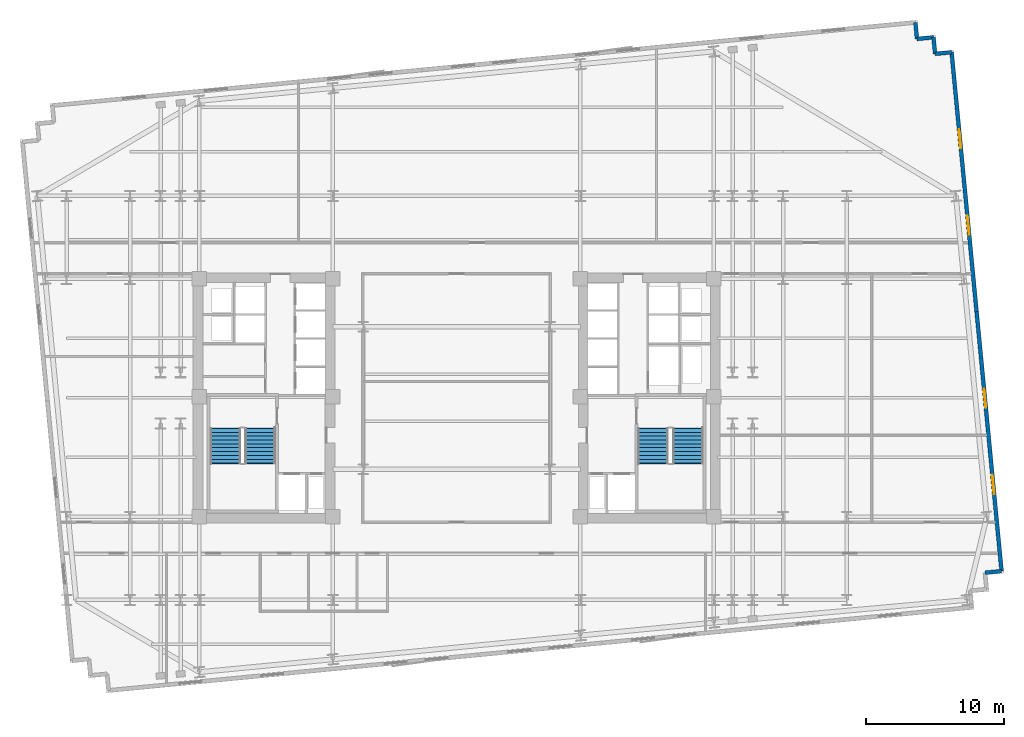
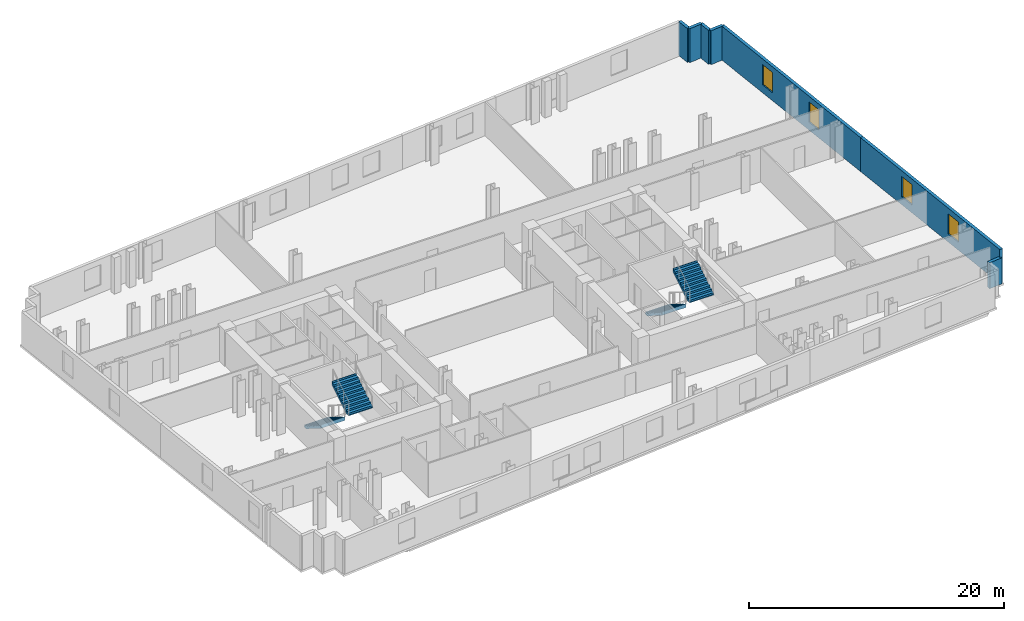
# One storey, part 8 of 10: 7 walls, 4 stair flights, 4 windows, 4 openings, 2 elements without a shape of their own.
"""IFC4 building model written with IfcOpenShell, lengths in metres."""

from ifc_helpers import new_model, si_unit, direction, frame, frame_2d, origin, place, context, subcontext, project, spatial, polyline, rectangle, outline, extrude, material, layer, layer_set, type_object, element, fill, aggregate, save


model = new_model("IFC4")

# Units and contexts
model_context = context("Model", 3, precision=1e-05, world=origin(), true_north=direction((0.0, 1.0)))
body_context = subcontext(model_context, "Body", "Model", "MODEL_VIEW")
ifc_project = project(units=[si_unit("LENGTHUNIT", "METRE"), si_unit("AREAUNIT", "SQUARE_METRE"), si_unit("VOLUMEUNIT", "CUBIC_METRE"), si_unit("PLANEANGLEUNIT", "RADIAN"), si_unit("MASSUNIT", "GRAM", prefix="KILO")], contexts=[model_context])

# Site, building, storey
site_placement = place(None, origin())
site = spatial("IfcSite", under=ifc_project, at=site_placement, CompositionType="ELEMENT")
building_placement = place(site_placement, origin())
building = spatial("IfcBuilding", under=site, at=building_placement, Name="Velakula Bourse", CompositionType="ELEMENT")
storey_placement = place(building_placement, frame((0.0, 0.0, 77.64990234375)))
storey = spatial("IfcBuildingStorey", under=building, at=storey_placement, Name="L20", CompositionType="ELEMENT", Elevation=77.64990234375)

# Wall, openings, windows
ifc_material_1 = material(Name="Red kilned clay facing brick masonry", Category="masonry")
ifc_layer_1 = layer(ifc_material_1, 0.280029296875, Name="Red kilned clay facing brick masonry", Category="masonry")
ifc_layer_set_1 = layer_set([ifc_layer_1], Name="Red kilned clay facing brick masonry")
wall_type = type_object("IfcWallType", Name="WL-EXT-BRK-280", PredefinedType="STANDARD", material=ifc_layer_set_1)
wall_1_placement = place(storey_placement, frame((37.584716796875, 6.23388671875, 0.0), z_axis=(0.0, 0.0, 1.0), x_axis=(0.095841297881, -0.99539662729, 0.0)))
wall_1 = element("IfcWall", 1, at=wall_1_placement, inside=storey, type_object=wall_type, Name="L20 E Brick End Wall W1", PredefinedType="STANDARD", context=body_context, shape_type="SweptSolid", body=[
    extrude(rectangle(XDim=18.840087890625, YDim=0.280029296875, at=frame_2d((9.419921875, 0.0))), origin(), (0.0, 0.0, 1.0), 3.25),
])
opening_1_placement = place(wall_1_placement, frame((5.580078125, 0.0, 0.760009765625)))
opening_1 = element("IfcOpeningElement", 2, at=opening_1_placement, cuts=wall_1, Name="Opening W-03", PredefinedType="OPENING", context=body_context, shape_type="SweptSolid", body=[
    extrude(rectangle(XDim=1.39990234375, YDim=1.949951171875, at=frame_2d((0.699951171875, 0.97509765625))), frame((0.0, 0.14990234375, 0.0), z_axis=(0.0, -1.0, 0.0), x_axis=(1.0, 0.0, 0.0)), (0.0, 0.0, 1.0), 0.300048828125),
])
opening_2_placement = place(wall_1_placement, frame((11.860107421875, 0.0, 0.760009765625)))
opening_2 = element("IfcOpeningElement", 3, at=opening_2_placement, cuts=wall_1, Name="Opening W-03", PredefinedType="OPENING", context=body_context, shape_type="SweptSolid", body=[
    extrude(rectangle(XDim=1.39990234375, YDim=1.949951171875, at=frame_2d((0.699951171875, 0.97509765625))), frame((0.0, 0.14990234375, 0.0), z_axis=(0.0, -1.0, 0.0), x_axis=(1.0, 0.0, 0.0)), (0.0, 0.0, 1.0), 0.300048828125),
])
ifc_material_2 = material(Name="Double-glazed solar-control Low-E glass", Category="glass")
window_type = type_object("IfcWindowType", Name="WIN-TWR-1400x2100", PartitioningType="SINGLE_PANEL", PredefinedType="WINDOW", material=ifc_material_2)
window_1_placement = place(opening_1_placement, origin())
window_1 = element("IfcWindow", 4, at=window_1_placement, inside=storey, type_object=window_type, Name="L20 Deep-Set Recessed Window 1", OverallHeight=1.949951171875, OverallWidth=1.39990234375, PartitioningType="SINGLE_PANEL", PredefinedType="WINDOW", context=body_context, shape_type="SweptSolid", body=[
    extrude(rectangle(XDim=1.39990234375, YDim=1.949951171875, at=frame_2d((0.699951171875, 0.97509765625))), frame((0.0, 0.030029296875, 0.0), z_axis=(0.0, -1.0, 0.0), x_axis=(1.0, 0.0, 0.0)), (0.0, 0.0, 1.0), 0.06005859375),
])
fill(opening_1, window_1)
window_2_placement = place(opening_2_placement, origin())
window_2 = element("IfcWindow", 5, at=window_2_placement, inside=storey, type_object=window_type, Name="L20 Deep-Set Recessed Window 2", OverallHeight=1.949951171875, OverallWidth=1.39990234375, PartitioningType="SINGLE_PANEL", PredefinedType="WINDOW", context=body_context, shape_type="SweptSolid", body=[
    extrude(rectangle(XDim=1.39990234375, YDim=1.949951171875, at=frame_2d((0.699951171875, 0.97509765625))), frame((0.0, 0.030029296875, 0.0), z_axis=(0.0, -1.0, 0.0), x_axis=(1.0, 0.0, 0.0)), (0.0, 0.0, 1.0), 0.06005859375),
])
fill(opening_2, window_2)

wall_2_placement = place(storey_placement, frame((35.779052734375, 24.987060546875, 0.0), z_axis=(0.0, 0.0, 1.0), x_axis=(0.095842534142, -0.995396508256, 0.0)))
wall_2 = element("IfcWall", 6, at=wall_2_placement, inside=storey, type_object=wall_type, Name="L20 E Brick End Wall W2", PredefinedType="STANDARD", context=body_context, shape_type="SweptSolid", body=[
    extrude(rectangle(XDim=18.83984375, YDim=0.280029296875, at=frame_2d((9.419921875, 0.0))), origin(), (0.0, 0.0, 1.0), 3.25),
])
opening_3_placement = place(wall_2_placement, frame((5.580078125, 0.0, 0.760009765625)))
opening_3 = element("IfcOpeningElement", 7, at=opening_3_placement, cuts=wall_2, Name="Opening W-03", PredefinedType="OPENING", context=body_context, shape_type="SweptSolid", body=[
    extrude(rectangle(XDim=1.39990234375, YDim=1.949951171875, at=frame_2d((0.699951171875, 0.97509765625))), frame((0.0, 0.14990234375, 0.0), z_axis=(0.0, -1.0, 0.0), x_axis=(1.0, 0.0, 0.0)), (0.0, 0.0, 1.0), 0.300048828125),
])
opening_4_placement = place(wall_2_placement, frame((11.860107421875, 0.0, 0.760009765625)))
opening_4 = element("IfcOpeningElement", 8, at=opening_4_placement, cuts=wall_2, Name="Opening W-03", PredefinedType="OPENING", context=body_context, shape_type="SweptSolid", body=[
    extrude(rectangle(XDim=1.39990234375, YDim=1.949951171875, at=frame_2d((0.699951171875, 0.97509765625))), frame((0.0, 0.14990234375, 0.0), z_axis=(0.0, -1.0, 0.0), x_axis=(1.0, 0.0, 0.0)), (0.0, 0.0, 1.0), 0.300048828125),
])
window_3_placement = place(opening_3_placement, origin())
window_3 = element("IfcWindow", 9, at=window_3_placement, inside=storey, type_object=window_type, Name="L20 Deep-Set Recessed Window 1", OverallHeight=1.949951171875, OverallWidth=1.39990234375, PartitioningType="SINGLE_PANEL", PredefinedType="WINDOW", context=body_context, shape_type="SweptSolid", body=[
    extrude(rectangle(XDim=1.39990234375, YDim=1.949951171875, at=frame_2d((0.699951171875, 0.97509765625))), frame((0.0, 0.030029296875, 0.0), z_axis=(0.0, -1.0, 0.0), x_axis=(1.0, 0.0, 0.0)), (0.0, 0.0, 1.0), 0.06005859375),
])
fill(opening_3, window_3)
window_4_placement = place(opening_4_placement, origin())
window_4 = element("IfcWindow", 10, at=window_4_placement, inside=storey, type_object=window_type, Name="L20 Deep-Set Recessed Window 2", OverallHeight=1.949951171875, OverallWidth=1.39990234375, PartitioningType="SINGLE_PANEL", PredefinedType="WINDOW", context=body_context, shape_type="SweptSolid", body=[
    extrude(rectangle(XDim=1.39990234375, YDim=1.949951171875, at=frame_2d((0.699951171875, 0.97509765625))), frame((0.0, 0.030029296875, 0.0), z_axis=(0.0, -1.0, 0.0), x_axis=(1.0, 0.0, 0.0)), (0.0, 0.0, 1.0), 0.06005859375),
])
fill(opening_4, window_4)

# Walls
wall_3_placement = place(storey_placement, frame((38.196044921875, -12.634521484375, 0.0), z_axis=(0.0, 0.0, 1.0), x_axis=(0.995397091755, 0.095836473879, 0.0)))
element("IfcWall", 11, at=wall_3_placement, inside=storey, type_object=wall_type, Name="L20 Serrated Corner Brick Wall SE-4", PredefinedType="STANDARD", context=body_context, shape_type="SweptSolid", body=[
    extrude(rectangle(XDim=1.199951171875, YDim=0.280029296875, at=frame_2d((0.60009765625, 0.0))), origin(), (0.0, 0.0, 1.0), 2.4951171875),
])
for number, where, z_axis, x_axis, name in (
    (12, (35.779052734375, 24.987060546875, 0.0), (0.0, 0.0, 1.0), (-0.995398960025, -0.095817067274, 0.0), "L20 Serrated Corner Brick Wall NE-1"),
    (13, (34.58447265625, 24.8720703125, 0.0), (0.0, 0.0, 1.0), (-0.095817067274, 0.995398960025, 0.0), "L20 Serrated Corner Brick Wall NE-2"),
    (14, (34.469482421875, 26.066650390625, 0.0), (0.0, 0.0, 1.0), (-0.995398960025, -0.095817067274, 0.0), "L20 Serrated Corner Brick Wall NE-3"),
):
    element("IfcWall", number, at=place(storey_placement, frame(where, z_axis=z_axis, x_axis=x_axis)), inside=storey, type_object=wall_type, Name=name, PredefinedType="STANDARD", context=body_context, shape_type="SweptSolid", body=[
        extrude(rectangle(XDim=1.2001953125, YDim=0.280029296875, at=frame_2d((0.60009765625, 0.0))), origin(), (0.0, 0.0, 1.0), 3.25),
    ])
wall_4_placement = place(storey_placement, frame((33.27490234375, 25.95166015625, 0.0), z_axis=(0.0, 0.0, 1.0), x_axis=(-0.095836473879, 0.995397091755, 0.0)))
element("IfcWall", 15, at=wall_4_placement, inside=storey, type_object=wall_type, Name="L20 Serrated Corner Brick Wall NE-4", PredefinedType="STANDARD", context=body_context, shape_type="SweptSolid", body=[
    extrude(rectangle(XDim=1.199951171875, YDim=0.280029296875, at=frame_2d((0.60009765625, 0.0))), origin(), (0.0, 0.0, 1.0), 3.25),
])

# Stair, stair flights
ifc_material_3 = material(Name="Concrete M45 (fck 45 MPa)", Category="concrete")
stair_type = type_object("IfcStairType", Name="STR-DOG-390", PredefinedType="HALF_TURN_STAIR", material=ifc_material_3)
stair_1_placement = place(storey_placement, origin())
stair_1 = element("IfcStair", 16, at=stair_1_placement, inside=storey, type_object=stair_type, Name="L20 West Core Exit Stair ST-W1", PredefinedType="HALF_TURN_STAIR")
ifc_layer_2 = layer(ifc_material_3, 0.195068359375, Name="Concrete M45 (fck 45 MPa)", Category="concrete")
ifc_layer_set_2 = layer_set([ifc_layer_2], Name="Concrete M45 (fck 45 MPa)")
stair_flight_type = type_object("IfcStairFlightType", Name="FLT-DOG-390", PredefinedType="STRAIGHT", material=ifc_layer_set_2)
stair_flight_1_placement = place(storey_placement, frame((-16.720947265625, -2.199951171875, 0.0), z_axis=(0.0, 0.0, 1.0), x_axis=(0.0, -1.0, 0.0)))
stair_flight_1 = element("IfcStairFlight", 17, at=stair_flight_1_placement, type_object=stair_flight_type, Name="ST-W1 flight 1", NumberOfRisers=10, NumberOfTreads=9, PredefinedType="STRAIGHT", RiserHeight=0.1725, TreadLength=0.28, context=body_context, shape_type="SweptSolid", body=[
    extrude(outline(polyline([(-0.044921875, -0.0400390625), (-0.044921875, -0.036865234375), (-0.044921875, -0.033935546875), (-0.044921875, -0.03076171875), (-0.044921875, -0.027587890625), (-0.044921875, -0.024658203125), (-0.044921875, -0.021484375), (-0.044921875, -0.0185546875), (-0.044921875, -0.015380859375), (-0.044921875, -0.01220703125), (-0.044921875, -0.00927734375), (-0.044921875, -0.006103515625), (-0.044921875, -0.003173828125), (-0.044921875, 0.0), (0.0, 0.0), (0.0, 0.172607421875), (0.280029296875, 0.172607421875), (0.280029296875, 0.344970703125), (0.56005859375, 0.344970703125), (0.56005859375, 0.517578125), (0.840087890625, 0.517578125), (0.840087890625, 0.68994140625), (1.1201171875, 0.68994140625), (1.1201171875, 0.862548828125), (1.39990234375, 0.862548828125), (1.39990234375, 1.034912109375), (1.679931640625, 1.034912109375), (1.679931640625, 1.20751953125), (1.9599609375, 1.20751953125), (1.9599609375, 1.3798828125), (2.239990234375, 1.3798828125), (2.239990234375, 1.552490234375), (2.52001953125, 1.552490234375), (2.52001953125, 1.72509765625), (2.56494140625, 1.72509765625), (2.56494140625, 1.7001953125), (2.56494140625, 1.67529296875), (2.56494140625, 1.650390625), (2.56494140625, 1.62548828125), (2.56494140625, 1.6005859375), (2.56494140625, 1.57568359375), (2.56494140625, 1.55078125), (2.56494140625, 1.52587890625), (2.56494140625, 1.5009765625), (2.56494140625, 1.47607421875), (2.56494140625, 1.451171875), (2.56494140625, 1.42626953125), (2.56494140625, 1.4013671875), (2.56494140625, 1.37646484375), (0.285888671875, -0.0400390625), (-0.044921875, -0.0400390625)])), frame((0.0, 1.09912109375, 0.0), z_axis=(0.0, -1.0, 0.0), x_axis=(1.0, 0.0, 0.0)), (0.0, 0.0, 1.0), 2.197998046875),
])
stair_flight_2_placement = place(storey_placement, frame((-14.198974609375, -4.719970703125, 1.72509765625), z_axis=(0.0, 0.0, 1.0), x_axis=(0.0, 1.0, 0.0)))
stair_flight_2 = element("IfcStairFlight", 18, at=stair_flight_2_placement, type_object=stair_flight_type, Name="ST-W1 flight 2", NumberOfRisers=10, NumberOfTreads=9, PredefinedType="STRAIGHT", RiserHeight=0.1725, TreadLength=0.28, context=body_context, shape_type="SweptSolid", body=[
    extrude(outline(polyline([(-0.044921875, -0.0400390625), (-0.044921875, -0.036865234375), (-0.044921875, -0.033935546875), (-0.044921875, -0.03076171875), (-0.044921875, -0.027587890625), (-0.044921875, -0.024658203125), (-0.044921875, -0.021484375), (-0.044921875, -0.0185546875), (-0.044921875, -0.015380859375), (-0.044921875, -0.01220703125), (-0.044921875, -0.00927734375), (-0.044921875, -0.006103515625), (-0.044921875, -0.003173828125), (-0.044921875, 0.0), (0.0, 0.0), (0.0, 0.172607421875), (0.280029296875, 0.172607421875), (0.280029296875, 0.344970703125), (0.56005859375, 0.344970703125), (0.56005859375, 0.517578125), (0.840087890625, 0.517578125), (0.840087890625, 0.68994140625), (1.1201171875, 0.68994140625), (1.1201171875, 0.862548828125), (1.39990234375, 0.862548828125), (1.39990234375, 1.034912109375), (1.679931640625, 1.034912109375), (1.679931640625, 1.20751953125), (1.9599609375, 1.20751953125), (1.9599609375, 1.3798828125), (2.239990234375, 1.3798828125), (2.239990234375, 1.552490234375), (2.52001953125, 1.552490234375), (2.52001953125, 1.72509765625), (2.56494140625, 1.72509765625), (2.56494140625, 1.7001953125), (2.56494140625, 1.67529296875), (2.56494140625, 1.650390625), (2.56494140625, 1.62548828125), (2.56494140625, 1.6005859375), (2.56494140625, 1.57568359375), (2.56494140625, 1.55078125), (2.56494140625, 1.52587890625), (2.56494140625, 1.5009765625), (2.56494140625, 1.47607421875), (2.56494140625, 1.451171875), (2.56494140625, 1.42626953125), (2.56494140625, 1.4013671875), (2.56494140625, 1.37646484375), (0.285888671875, -0.0400390625), (-0.044921875, -0.0400390625)])), frame((0.0, 1.09912109375, 0.0), z_axis=(0.0, -1.0, 0.0), x_axis=(1.0, 0.0, 0.0)), (0.0, 0.0, 1.0), 2.197998046875),
])
aggregate(stair_1, [stair_flight_1, stair_flight_2])

stair_2_placement = place(storey_placement, origin())
stair_2 = element("IfcStair", 19, at=stair_2_placement, inside=storey, type_object=stair_type, Name="L20 East Core Exit Stair ST-E1", PredefinedType="HALF_TURN_STAIR")
stair_flight_3_placement = place(storey_placement, frame((14.198974609375, -2.199951171875, 0.0), z_axis=(0.0, 0.0, 1.0), x_axis=(0.0, -1.0, 0.0)))
stair_flight_3 = element("IfcStairFlight", 20, at=stair_flight_3_placement, type_object=stair_flight_type, Name="ST-E1 flight 1", NumberOfRisers=10, NumberOfTreads=9, PredefinedType="STRAIGHT", RiserHeight=0.1725, TreadLength=0.28, context=body_context, shape_type="SweptSolid", body=[
    extrude(outline(polyline([(-0.044921875, -0.0400390625), (-0.044921875, -0.036865234375), (-0.044921875, -0.033935546875), (-0.044921875, -0.03076171875), (-0.044921875, -0.027587890625), (-0.044921875, -0.024658203125), (-0.044921875, -0.021484375), (-0.044921875, -0.0185546875), (-0.044921875, -0.015380859375), (-0.044921875, -0.01220703125), (-0.044921875, -0.00927734375), (-0.044921875, -0.006103515625), (-0.044921875, -0.003173828125), (-0.044921875, 0.0), (0.0, 0.0), (0.0, 0.172607421875), (0.280029296875, 0.172607421875), (0.280029296875, 0.344970703125), (0.56005859375, 0.344970703125), (0.56005859375, 0.517578125), (0.840087890625, 0.517578125), (0.840087890625, 0.68994140625), (1.1201171875, 0.68994140625), (1.1201171875, 0.862548828125), (1.39990234375, 0.862548828125), (1.39990234375, 1.034912109375), (1.679931640625, 1.034912109375), (1.679931640625, 1.20751953125), (1.9599609375, 1.20751953125), (1.9599609375, 1.3798828125), (2.239990234375, 1.3798828125), (2.239990234375, 1.552490234375), (2.52001953125, 1.552490234375), (2.52001953125, 1.72509765625), (2.56494140625, 1.72509765625), (2.56494140625, 1.7001953125), (2.56494140625, 1.67529296875), (2.56494140625, 1.650390625), (2.56494140625, 1.62548828125), (2.56494140625, 1.6005859375), (2.56494140625, 1.57568359375), (2.56494140625, 1.55078125), (2.56494140625, 1.52587890625), (2.56494140625, 1.5009765625), (2.56494140625, 1.47607421875), (2.56494140625, 1.451171875), (2.56494140625, 1.42626953125), (2.56494140625, 1.4013671875), (2.56494140625, 1.37646484375), (0.285888671875, -0.0400390625), (-0.044921875, -0.0400390625)])), frame((0.0, 1.09912109375, 0.0), z_axis=(0.0, -1.0, 0.0), x_axis=(1.0, 0.0, 0.0)), (0.0, 0.0, 1.0), 2.197998046875),
])
stair_flight_4_placement = place(storey_placement, frame((16.720947265625, -4.719970703125, 1.72509765625), z_axis=(0.0, 0.0, 1.0), x_axis=(0.0, 1.0, 0.0)))
stair_flight_4 = element("IfcStairFlight", 21, at=stair_flight_4_placement, type_object=stair_flight_type, Name="ST-E1 flight 2", NumberOfRisers=10, NumberOfTreads=9, PredefinedType="STRAIGHT", RiserHeight=0.1725, TreadLength=0.28, context=body_context, shape_type="SweptSolid", body=[
    extrude(outline(polyline([(-0.044921875, -0.0400390625), (-0.044921875, -0.036865234375), (-0.044921875, -0.033935546875), (-0.044921875, -0.03076171875), (-0.044921875, -0.027587890625), (-0.044921875, -0.024658203125), (-0.044921875, -0.021484375), (-0.044921875, -0.0185546875), (-0.044921875, -0.015380859375), (-0.044921875, -0.01220703125), (-0.044921875, -0.00927734375), (-0.044921875, -0.006103515625), (-0.044921875, -0.003173828125), (-0.044921875, 0.0), (0.0, 0.0), (0.0, 0.172607421875), (0.280029296875, 0.172607421875), (0.280029296875, 0.344970703125), (0.56005859375, 0.344970703125), (0.56005859375, 0.517578125), (0.840087890625, 0.517578125), (0.840087890625, 0.68994140625), (1.1201171875, 0.68994140625), (1.1201171875, 0.862548828125), (1.39990234375, 0.862548828125), (1.39990234375, 1.034912109375), (1.679931640625, 1.034912109375), (1.679931640625, 1.20751953125), (1.9599609375, 1.20751953125), (1.9599609375, 1.3798828125), (2.239990234375, 1.3798828125), (2.239990234375, 1.552490234375), (2.52001953125, 1.552490234375), (2.52001953125, 1.72509765625), (2.56494140625, 1.72509765625), (2.56494140625, 1.7001953125), (2.56494140625, 1.67529296875), (2.56494140625, 1.650390625), (2.56494140625, 1.62548828125), (2.56494140625, 1.6005859375), (2.56494140625, 1.57568359375), (2.56494140625, 1.55078125), (2.56494140625, 1.52587890625), (2.56494140625, 1.5009765625), (2.56494140625, 1.47607421875), (2.56494140625, 1.451171875), (2.56494140625, 1.42626953125), (2.56494140625, 1.4013671875), (2.56494140625, 1.37646484375), (0.285888671875, -0.0400390625), (-0.044921875, -0.0400390625)])), frame((0.0, 1.09912109375, 0.0), z_axis=(0.0, -1.0, 0.0), x_axis=(1.0, 0.0, 0.0)), (0.0, 0.0, 1.0), 2.197998046875),
])
aggregate(stair_2, [stair_flight_3, stair_flight_4])

save(model, "model.ifc")
